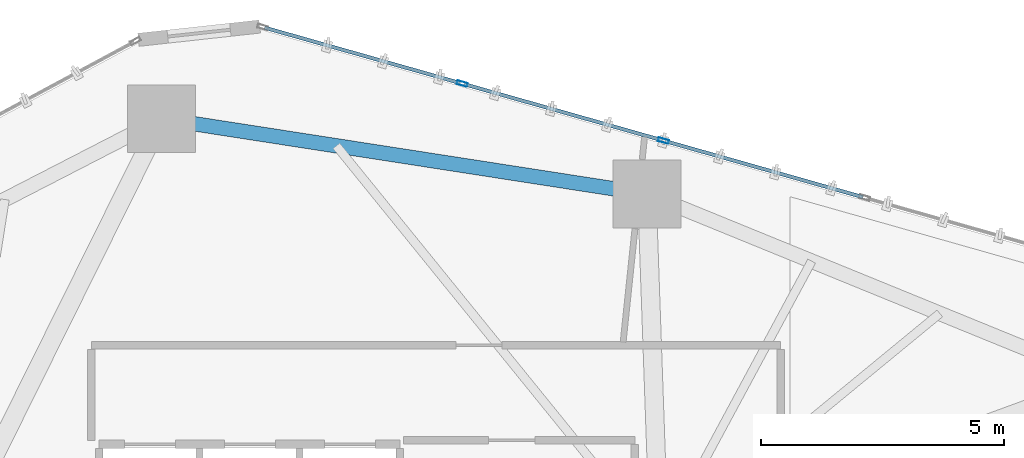
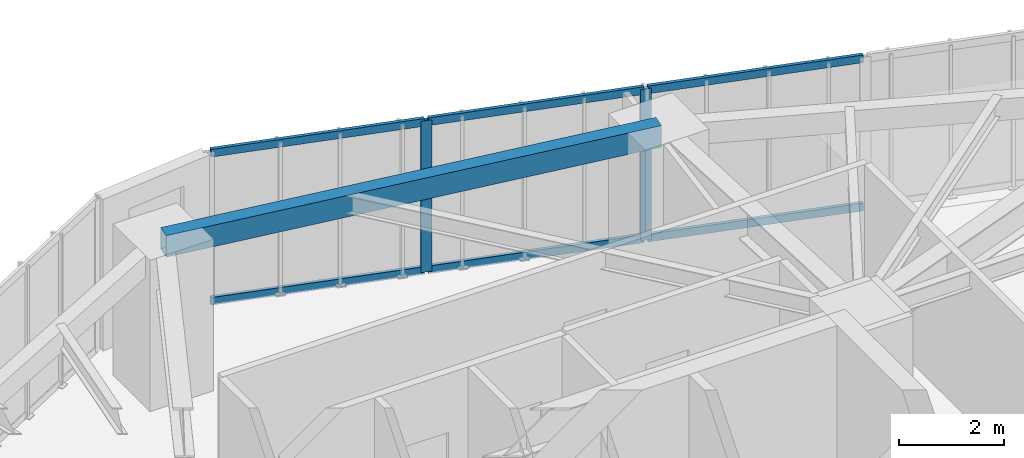
# One storey, part 16 of 24: 8 members, 1 beam, 1 element without a shape of its own.
"""IFC4 building model written with IfcOpenShell, lengths in metres."""

from ifc_helpers import new_model, si_unit, direction, frame, origin, origin_2d, place, context, subcontext, project, spatial, hollow_rectangle, extrude, source, transform, mapped, material, layer, layer_set, material_profile, profile_set, type_object, type_shapes, element, aggregate, save


model = new_model("IFC4")

# Units and contexts
model_context = context("Model", 3, precision=1e-05, world=origin(), true_north=direction((0.0, 1.0)))
body_context = subcontext(model_context, "Body", "Model", "MODEL_VIEW")
ifc_project = project(units=[si_unit("LENGTHUNIT", "METRE"), si_unit("AREAUNIT", "SQUARE_METRE"), si_unit("VOLUMEUNIT", "CUBIC_METRE"), si_unit("PLANEANGLEUNIT", "RADIAN"), si_unit("MASSUNIT", "GRAM", prefix="KILO")], contexts=[model_context])

# Site, building, storey
site_placement = place(None, origin())
site = spatial("IfcSite", under=ifc_project, at=site_placement, CompositionType="ELEMENT")
building_placement = place(site_placement, origin())
building = spatial("IfcBuilding", under=site, at=building_placement, Name="Talar Marvaseh", CompositionType="ELEMENT")
storey_placement = place(building_placement, frame((0.0, 0.0, 43.0)))
storey = spatial("IfcBuildingStorey", under=building, at=storey_placement, Name="L10", CompositionType="ELEMENT", Elevation=43.0)

# Beam
ifc_material_1 = material(Name="Steel S355", Category="steel")
ifc_material_profile_1 = material_profile(ifc_material_1, hollow_rectangle(XDim=0.300048828125, YDim=0.5, WallThickness=0.02001953125, at=origin_2d()), Name="RHS500x300x20")
ifc_profile_set_1 = profile_set([ifc_material_profile_1], Name="Steel S355")
beam_type = type_object("IfcBeamType", Name="Zone 1 Perimeter Spandrel Beam RHS500x300x20", PredefinedType="SPANDREL", material=ifc_profile_set_1)
beam_placement = place(storey_placement, frame((23.047119140625, 45.6669921875, 3.27001953125), z_axis=(0.988210751461, -0.153099675693, 0.0), x_axis=(0.153099675693, 0.988210751461, 0.0)))
element("IfcBeam", 1, at=beam_placement, inside=storey, type_object=beam_type, Name="L10 Zone 1 Perimeter Spandrel Beam RHS500x300x20", PredefinedType="SPANDREL", context=body_context, shape_type="SweptSolid", body=[
    extrude(hollow_rectangle(XDim=0.300048828125, YDim=0.5, WallThickness=0.02001953125, at=origin_2d()), origin(), (0.0, 0.0, 1.0), 10.1181640625),
])

# Curtain wall, members
ifc_material_2 = material(Name="Architectural Aluminium", Category="aluminium")
ifc_layer = layer(ifc_material_2, 0.219970703125)
ifc_layer_set = layer_set([ifc_layer], Name="Architectural Aluminium")
curtain_wall_type = type_object("IfcCurtainWallType", Name="Unitised Low-E Museum Curtain Wall Z1", PredefinedType="NOTDEFINED", material=ifc_layer_set)
curtain_wall_placement = place(storey_placement, origin())
curtain_wall = element("IfcCurtainWall", 2, at=curtain_wall_placement, inside=storey, type_object=curtain_wall_type, Name="L10 Unitised Low-E Museum Curtain Wall Z1", PredefinedType="NOTDEFINED")
ifc_material_profile_2 = material_profile(ifc_material_2, hollow_rectangle(XDim=0.080078125, YDim=0.219970703125, WallThickness=0.0048828125, at=origin_2d()), Name="RHS220x80x5")
ifc_profile_set_2 = profile_set([ifc_material_profile_2], Name="Architectural Aluminium")
member_type_1 = type_object("IfcMemberType", Name="Unitised Curtain Wall Heavy Mullion RHS220x80x5", PredefinedType="MULLION", material=ifc_profile_set_2)
shared_shape_1 = source(origin(), body_context, "Body", "SweptSolid", [
    extrude(hollow_rectangle(XDim=0.080078125, YDim=0.219970703125, WallThickness=0.0048828125, at=origin_2d()), origin(), (0.0, 0.0, 1.0), 3.52001953125),
])
type_shapes(member_type_1, [shared_shape_1])
member_1_placement = place(storey_placement, frame((29.2392578125, 46.390380859375, 0.0), z_axis=(0.0, 0.0, 1.0), x_axis=(0.272578599403, 0.962133518358, 0.0)))
member_1 = element("IfcMember", 3, at=member_1_placement, type_object=member_type_1, Name="CW-Z1 mullion 2", PredefinedType="MULLION", context=body_context, shape_type="MappedRepresentation", body=[
    mapped(shared_shape_1, transform((0.0, 0.0, 0.0), x_axis=(1.0, 0.0, 0.0), y_axis=(0.0, 1.0, 0.0), z_axis=(0.0, 0.0, 1.0), scale=1.0)),
])
member_2_placement = place(storey_placement, frame((33.387939453125, 45.215087890625, 0.0), z_axis=(0.0, 0.0, 1.0), x_axis=(0.272578599403, 0.962133518358, 0.0)))
member_2 = element("IfcMember", 4, at=member_2_placement, type_object=member_type_1, Name="CW-Z1 mullion 3", PredefinedType="MULLION", context=body_context, shape_type="MappedRepresentation", body=[
    mapped(shared_shape_1, transform((0.0, 0.0, 0.0), x_axis=(1.0, 0.0, 0.0), y_axis=(0.0, 1.0, 0.0), z_axis=(0.0, 0.0, 1.0), scale=1.0)),
])
ifc_material_profile_3 = material_profile(ifc_material_2, hollow_rectangle(XDim=0.074951171875, YDim=0.179931640625, WallThickness=0.0048828125, at=origin_2d()), Name="RHS180x75x5")
ifc_profile_set_3 = profile_set([ifc_material_profile_3], Name="Architectural Aluminium")
member_type_2 = type_object("IfcMemberType", Name="Unitised Curtain Wall Transom RHS180x75x5", PredefinedType="USERDEFINED", material=ifc_profile_set_3)
shared_shape_2 = source(origin(), body_context, "Body", "SweptSolid", [
    extrude(hollow_rectangle(XDim=0.074951171875, YDim=0.179931640625, WallThickness=0.0048828125, at=origin_2d()), origin(), (0.0, 0.0, 1.0), 4.19189453125),
])
member_3_placement = place(storey_placement, frame((25.167724609375, 47.5439453125, 0.03759765625), z_axis=(0.962136909161, -0.27256663044, 0.0), x_axis=(0.27256663044, 0.962136909161, 0.0)))
member_3 = element("IfcMember", 5, at=member_3_placement, type_object=member_type_2, Name="CW-Z1 transom 1.1", ObjectType="TRANSOM", PredefinedType="USERDEFINED", context=body_context, shape_type="MappedRepresentation", body=[
    mapped(shared_shape_2, transform((0.0, 0.0, 0.0), x_axis=(1.0, 0.0, 0.0), y_axis=(0.0, 1.0, 0.0), z_axis=(0.0, 0.0, 1.0), scale=1.0)),
])
member_4_placement = place(storey_placement, frame((25.167724609375, 47.5439453125, 3.482421875), z_axis=(0.962136909161, -0.27256663044, 0.0), x_axis=(0.27256663044, 0.962136909161, 0.0)))
member_4 = element("IfcMember", 6, at=member_4_placement, type_object=member_type_2, Name="CW-Z1 transom 1.2", ObjectType="TRANSOM", PredefinedType="USERDEFINED", context=body_context, shape_type="MappedRepresentation", body=[
    mapped(shared_shape_2, transform((0.0, 0.0, 0.0), x_axis=(1.0, 0.0, 0.0), y_axis=(0.0, 1.0, 0.0), z_axis=(0.0, 0.0, 1.0), scale=1.0)),
])
shared_shape_3 = source(origin(), body_context, "Body", "SweptSolid", [
    extrude(hollow_rectangle(XDim=0.074951171875, YDim=0.179931640625, WallThickness=0.0048828125, at=origin_2d()), origin(), (0.0, 0.0, 1.0), 4.23193359375),
])
member_5_placement = place(storey_placement, frame((33.42626953125, 45.204345703125, 0.03759765625), z_axis=(0.96213328259, -0.272579431601, 0.0), x_axis=(0.272579431601, 0.96213328259, 0.0)))
member_5 = element("IfcMember", 7, at=member_5_placement, type_object=member_type_2, Name="CW-Z1 transom 3.1", ObjectType="TRANSOM", PredefinedType="USERDEFINED", context=body_context, shape_type="MappedRepresentation", body=[
    mapped(shared_shape_3, transform((0.0, 0.0, 0.0), x_axis=(1.0, 0.0, 0.0), y_axis=(0.0, 1.0, 0.0), z_axis=(0.0, 0.0, 1.0), scale=1.0)),
])
member_6_placement = place(storey_placement, frame((33.42626953125, 45.204345703125, 3.482421875), z_axis=(0.96213328259, -0.272579431601, 0.0), x_axis=(0.272579431601, 0.96213328259, 0.0)))
member_6 = element("IfcMember", 8, at=member_6_placement, type_object=member_type_2, Name="CW-Z1 transom 3.2", ObjectType="TRANSOM", PredefinedType="USERDEFINED", context=body_context, shape_type="MappedRepresentation", body=[
    mapped(shared_shape_3, transform((0.0, 0.0, 0.0), x_axis=(1.0, 0.0, 0.0), y_axis=(0.0, 1.0, 0.0), z_axis=(0.0, 0.0, 1.0), scale=1.0)),
])
shared_shape_4 = source(origin(), body_context, "Body", "SweptSolid", [
    extrude(hollow_rectangle(XDim=0.074951171875, YDim=0.179931640625, WallThickness=0.0048828125, at=origin_2d()), origin(), (0.0, 0.0, 1.0), 4.231689453125),
])
type_shapes(member_type_2, [shared_shape_2, shared_shape_3, shared_shape_4])
member_7_placement = place(storey_placement, frame((29.27783203125, 46.379638671875, 0.03759765625), z_axis=(0.962128995984, -0.272594561733, 0.0), x_axis=(0.272594561733, 0.962128995984, 0.0)))
member_7 = element("IfcMember", 9, at=member_7_placement, type_object=member_type_2, Name="CW-Z1 transom 2.1", ObjectType="TRANSOM", PredefinedType="USERDEFINED", context=body_context, shape_type="MappedRepresentation", body=[
    mapped(shared_shape_4, transform((0.0, 0.0, 0.0), x_axis=(1.0, 0.0, 0.0), y_axis=(0.0, 1.0, 0.0), z_axis=(0.0, 0.0, 1.0), scale=1.0)),
])
member_8_placement = place(storey_placement, frame((29.27783203125, 46.379638671875, 3.482421875), z_axis=(0.962128995984, -0.272594561733, 0.0), x_axis=(0.272594561733, 0.962128995984, 0.0)))
member_8 = element("IfcMember", 10, at=member_8_placement, type_object=member_type_2, Name="CW-Z1 transom 2.2", ObjectType="TRANSOM", PredefinedType="USERDEFINED", context=body_context, shape_type="MappedRepresentation", body=[
    mapped(shared_shape_4, transform((0.0, 0.0, 0.0), x_axis=(1.0, 0.0, 0.0), y_axis=(0.0, 1.0, 0.0), z_axis=(0.0, 0.0, 1.0), scale=1.0)),
])
aggregate(curtain_wall, [member_1, member_2, member_3, member_4, member_7, member_8, member_5, member_6])

save(model, "model.ifc")
